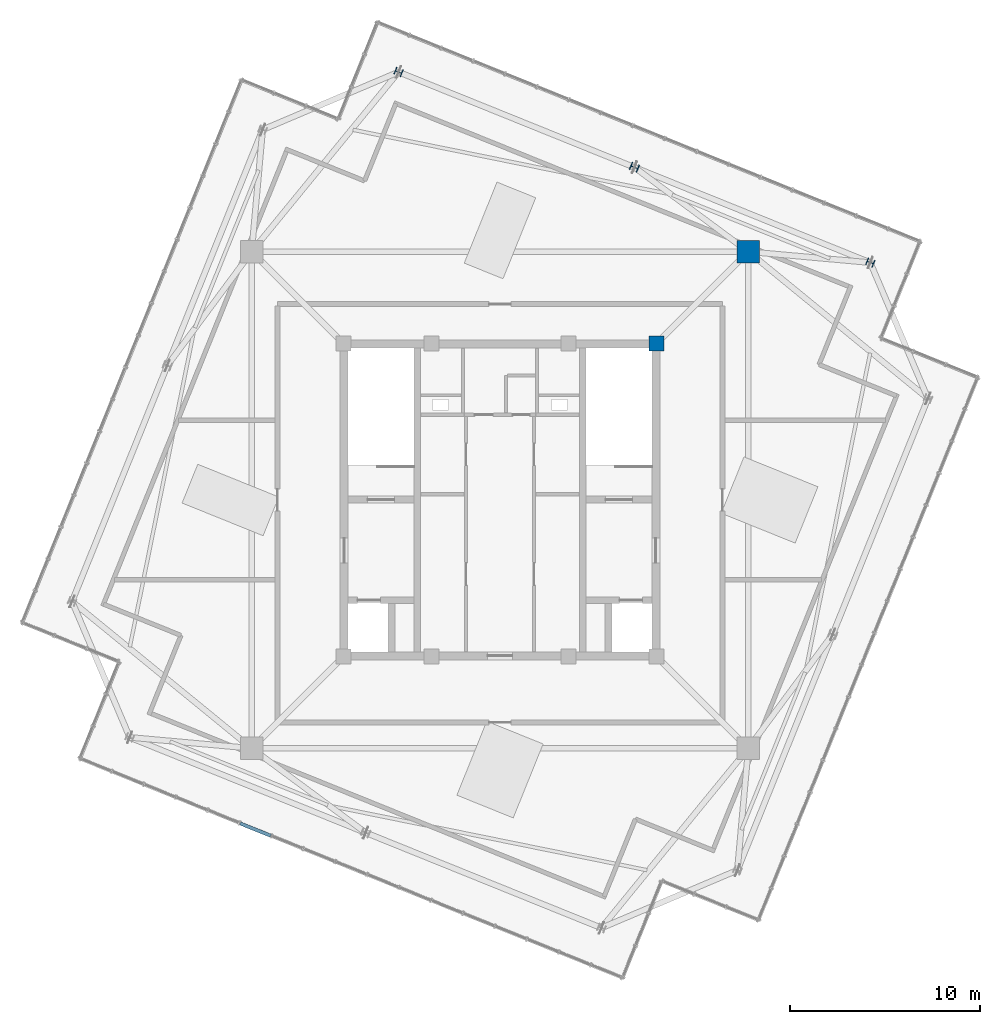
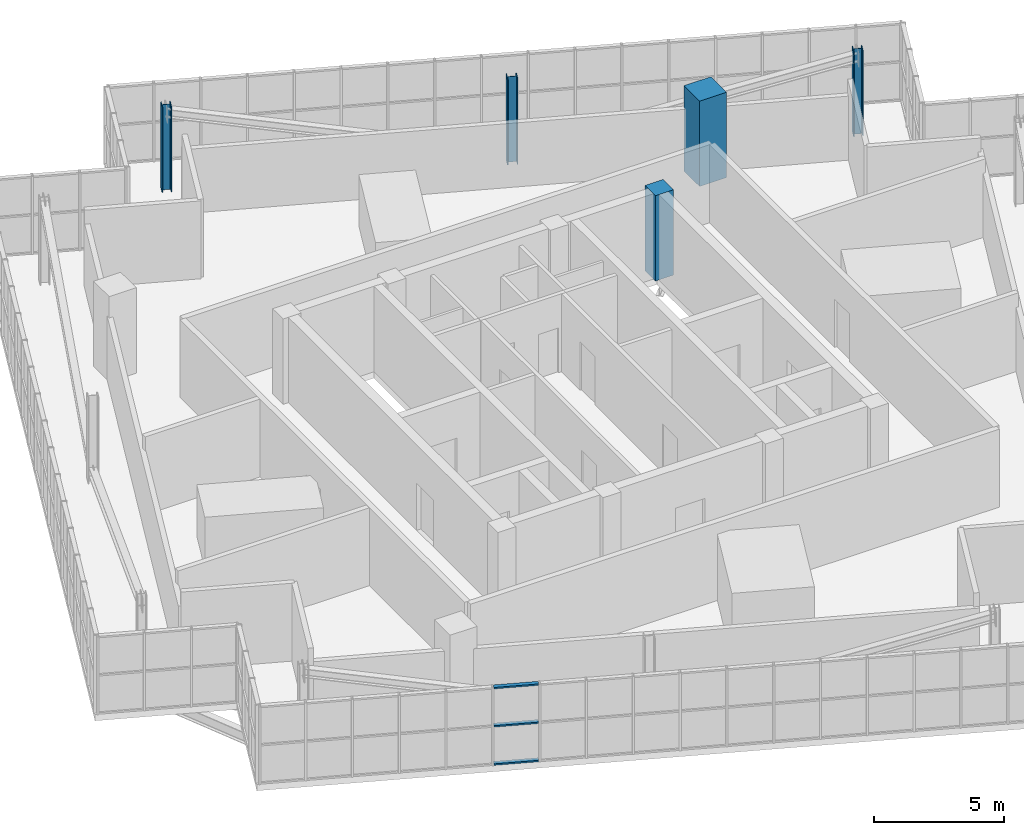
# One storey, part 2 of 26: 5 columns, 3 members, 1 element without a shape of its own.
"""IFC4 building model written with IfcOpenShell, lengths in metres."""

from ifc_helpers import new_model, si_unit, direction, frame, origin, origin_2d, place, context, subcontext, project, spatial, rectangle, hollow_rectangle, i_section, extrude, source, transform, mapped, material, layer, layer_set, material_profile, profile_set, type_object, element, aggregate, save


model = new_model("IFC4")

# Units and contexts
model_context = context("Model", 3, precision=1e-05, world=origin(), true_north=direction((0.0, 1.0)))
body_context = subcontext(model_context, "Body", "Model", "MODEL_VIEW")
ifc_project = project(units=[si_unit("LENGTHUNIT", "METRE"), si_unit("AREAUNIT", "SQUARE_METRE"), si_unit("VOLUMEUNIT", "CUBIC_METRE"), si_unit("PLANEANGLEUNIT", "RADIAN"), si_unit("MASSUNIT", "GRAM", prefix="KILO"), si_unit("THERMODYNAMICTEMPERATUREUNIT", "KELVIN")], contexts=[model_context])

# Site, building, storey
site_placement = place(None, origin())
site = spatial("IfcSite", under=ifc_project, at=site_placement, CompositionType="ELEMENT")
building_placement = place(site_placement, origin())
building = spatial("IfcBuilding", under=site, at=building_placement, Name="Kosmvard Interchange Tower", CompositionType="ELEMENT")
storey_placement = place(building_placement, frame((0.0, 0.0, 341.60009765625)))
storey = spatial("IfcBuildingStorey", under=building, at=storey_placement, Name="L84", CompositionType="ELEMENT", Elevation=341.60009765625)

# Columns
ifc_material_1 = material(Name="Concrete C50/60", Category="concrete")
ifc_material_profile_1 = material_profile(ifc_material_1, rectangle(XDim=0.800048828125, YDim=0.800048828125, at=origin_2d()), Name="CP 800x800")
ifc_profile_set_1 = profile_set([ifc_material_profile_1], Name="Concrete C50/60")
column_type_1 = type_object("IfcColumnType", Name="Core Boundary Pilaster 800x800 C50/60", PredefinedType="PILASTER", material=ifc_profile_set_1)
shared_shape_1 = source(origin(), body_context, "Body", "SweptSolid", [
    extrude(rectangle(XDim=0.800048828125, YDim=0.800048828125, at=origin_2d()), origin(), (0.0, 0.0, 1.0), 4.0),
])
column_1_placement = place(storey_placement, frame((8.25, 8.25, 0.0), z_axis=(0.0, 0.0, 1.0), x_axis=(1.0, 0.0, 0.0)))
element("IfcColumn", 1, at=column_1_placement, inside=storey, type_object=column_type_1, Name="L84 Core Pilaster CP3", PredefinedType="PILASTER", context=body_context, shape_type="MappedRepresentation", body=[
    mapped(shared_shape_1, transform((0.0, 0.0, 0.0), scale=1.0)),
])
ifc_material_profile_2 = material_profile(ifc_material_1, rectangle(XDim=1.199951171875, YDim=1.199951171875, at=origin_2d()), Name="MC 1200x1200")
ifc_profile_set_2 = profile_set([ifc_material_profile_2], Name="Concrete C50/60")
column_type_2 = type_object("IfcColumnType", Name="Composite Mega-Column 1200x1200 C50/60", PredefinedType="COLUMN", material=ifc_profile_set_2)
shared_shape_2 = source(origin(), body_context, "Body", "SweptSolid", [
    extrude(rectangle(XDim=1.199951171875, YDim=1.199951171875, at=origin_2d()), origin(), (0.0, 0.0, 1.0), 4.0),
])
column_2_placement = place(storey_placement, frame((13.0810546875, 13.0810546875, 0.0), z_axis=(0.0, 0.0, 1.0), x_axis=(1.0, 0.0, 0.0)))
element("IfcColumn", 2, at=column_2_placement, inside=storey, type_object=column_type_2, Name="L84 Corner Mega-Column MC3", PredefinedType="COLUMN", context=body_context, shape_type="MappedRepresentation", body=[
    mapped(shared_shape_2, transform((0.0, 0.0, 0.0), scale=1.0)),
])
ifc_material_2 = material(Name="Steel S355", Category="steel")
ifc_material_profile_3 = material_profile(ifc_material_2, i_section(OverallWidth=0.3759765625, OverallDepth=0.386962890625, WebThickness=0.01953125, FlangeThickness=0.031982421875, FilletRadius=0.014892578125, at=origin_2d()), Name="HD 360x329")
ifc_profile_set_3 = profile_set([ifc_material_profile_3], Name="Steel S355")
column_type_3 = type_object("IfcColumnType", Name="Crown Lantern Corner Post HD 360x329 S355", PredefinedType="COLUMN", material=ifc_profile_set_3)
shared_shape_3 = source(origin(), body_context, "Body", "SweptSolid", [
    extrude(i_section(OverallWidth=0.3759765625, OverallDepth=0.386962890625, WebThickness=0.01953125, FlangeThickness=0.031982421875, FilletRadius=0.014892578125, at=origin_2d()), origin(), (0.0, 0.0, 1.0), 4.0),
])
for number, where, z_axis, x_axis, name in (
    (3, (19.50439453125, 12.504150390625, 0.0), (0.0, 0.0, 1.0), (0.374606593416, 0.927183854567, 0.0), "L84 Crown Frame Leg LL-E1"),
    (4, (-5.34423828125, 22.54345703125, 0.0), (0.0, 0.0, 1.0), (0.374606593416, 0.927183854567, 0.0), "L84 Crown Frame Leg LL-E3"),
):
    element("IfcColumn", number, at=place(storey_placement, frame(where, z_axis=z_axis, x_axis=x_axis)), inside=storey, type_object=column_type_3, Name=name, PredefinedType="COLUMN", context=body_context, shape_type="MappedRepresentation", body=[
        mapped(shared_shape_3, transform((0.0, 0.0, 0.0), scale=1.0)),
    ])
ifc_material_profile_4 = material_profile(ifc_material_2, i_section(OverallWidth=0.408935546875, OverallDepth=0.425048828125, WebThickness=0.02392578125, FlangeThickness=0.0390625, FilletRadius=0.014892578125, at=origin_2d()), Name="HD 400x421")
ifc_profile_set_4 = profile_set([ifc_material_profile_4], Name="Steel S355")
column_type_4 = type_object("IfcColumnType", Name="Crown Lantern Frame Leg HD 400x421 S355", PredefinedType="COLUMN", material=ifc_profile_set_4)
shared_shape_4 = source(origin(), body_context, "Body", "SweptSolid", [
    extrude(i_section(OverallWidth=0.408935546875, OverallDepth=0.425048828125, WebThickness=0.02392578125, FlangeThickness=0.0390625, FilletRadius=0.014892578125, at=origin_2d()), origin(), (0.0, 0.0, 1.0), 4.0),
])
column_3_placement = place(storey_placement, frame((7.080078125, 17.523681640625, 0.0), z_axis=(0.0, 0.0, 1.0), x_axis=(0.374606593416, 0.927183854567, 0.0)))
element("IfcColumn", 5, at=column_3_placement, inside=storey, type_object=column_type_4, Name="L84 Crown Frame Leg LL-E2", PredefinedType="COLUMN", context=body_context, shape_type="MappedRepresentation", body=[
    mapped(shared_shape_4, transform((0.0, 0.0, 0.0), scale=1.0)),
])

# Curtain wall, members
ifc_material_3 = material(Name="Architectural anodised aluminium", Category="aluminium")
ifc_layer = layer(ifc_material_3, 0.25, Name="Architectural anodised aluminium")
ifc_layer_set = layer_set([ifc_layer], Name="Architectural anodised aluminium")
curtain_wall_type = type_object("IfcCurtainWallType", Name="CW-6 Illuminated Crown Lantern Curtain Wall", PredefinedType="NOTDEFINED", material=ifc_layer_set)
curtain_wall_placement = place(storey_placement, origin())
curtain_wall = element("IfcCurtainWall", 6, at=curtain_wall_placement, inside=storey, type_object=curtain_wall_type, Name="L84 Crown Lantern Glazing Face 10", PredefinedType="NOTDEFINED")
ifc_material_profile_5 = material_profile(ifc_material_3, hollow_rectangle(XDim=0.179931640625, YDim=0.070068359375, WallThickness=0.0048828125, at=origin_2d()), Name="CWT 180x70x5")
ifc_profile_set_5 = profile_set([ifc_material_profile_5], Name="Architectural anodised aluminium")
member_type = type_object("IfcMemberType", Name="Heavy Lantern CW Transom 180x70 Aluminium", PredefinedType="USERDEFINED", material=ifc_profile_set_5)
shared_shape_5 = source(origin(), body_context, "Body", "SweptSolid", [
    extrude(hollow_rectangle(XDim=0.179931640625, YDim=0.070068359375, WallThickness=0.0048828125, at=origin_2d()), origin(), (0.0, 0.0, 1.0), 1.734130859375),
])
member_1_placement = place(storey_placement, frame((-13.686767578125, -17.033203125, 0.034912109375), z_axis=(0.927179782522, -0.374616671924, 0.0), x_axis=(0.374616671924, 0.927179782522, 0.0)))
member_1 = element("IfcMember", 7, at=member_1_placement, type_object=member_type, Name="CW-6 transom 6.1", ObjectType="TRANSOM", PredefinedType="USERDEFINED", context=body_context, shape_type="MappedRepresentation", body=[
    mapped(shared_shape_5, transform((0.0, 0.0, 0.0), scale=1.0)),
])
member_2_placement = place(storey_placement, frame((-13.686767578125, -17.033203125, 1.824951171875), z_axis=(0.927179782522, -0.374616671924, 0.0), x_axis=(0.374616671924, 0.927179782522, 0.0)))
member_2 = element("IfcMember", 8, at=member_2_placement, type_object=member_type, Name="CW-6 transom 6.2", ObjectType="TRANSOM", PredefinedType="USERDEFINED", context=body_context, shape_type="MappedRepresentation", body=[
    mapped(shared_shape_5, transform((0.0, 0.0, 0.0), scale=1.0)),
])
member_3_placement = place(storey_placement, frame((-13.686767578125, -17.033203125, 3.614990234375), z_axis=(0.927179782522, -0.374616671924, 0.0), x_axis=(0.374616671924, 0.927179782522, 0.0)))
member_3 = element("IfcMember", 9, at=member_3_placement, type_object=member_type, Name="CW-6 transom 6.3", ObjectType="TRANSOM", PredefinedType="USERDEFINED", context=body_context, shape_type="MappedRepresentation", body=[
    mapped(shared_shape_5, transform((0.0, 0.0, 0.0), scale=1.0)),
])
aggregate(curtain_wall, [member_1, member_2, member_3])

save(model, "model.ifc")
